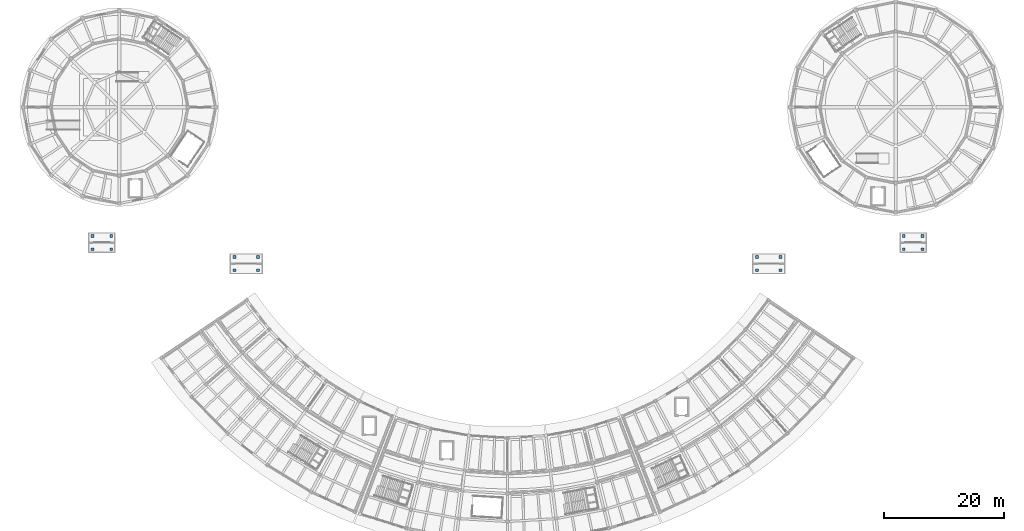
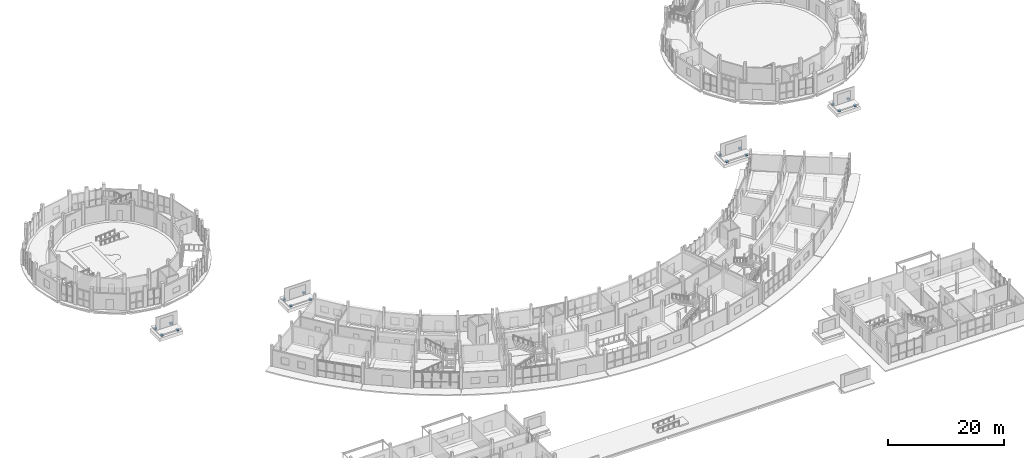
# One storey, part 22 of 92: 16 columns.
"""IFC4 building model written with IfcOpenShell, lengths in metres."""

from ifc_helpers import new_model, si_unit, direction, frame, origin, origin_2d, place, context, subcontext, project, spatial, rectangle, extrude, material, material_profile, profile_set, type_object, element, save


model = new_model("IFC4")

# Units and contexts
model_context = context("Model", 3, precision=1e-05, world=origin(), true_north=direction((0.0, 1.0)))
body_context = subcontext(model_context, "Body", "Model", "MODEL_VIEW")
ifc_project = project(units=[si_unit("LENGTHUNIT", "METRE"), si_unit("AREAUNIT", "SQUARE_METRE"), si_unit("VOLUMEUNIT", "CUBIC_METRE"), si_unit("PLANEANGLEUNIT", "RADIAN"), si_unit("MASSUNIT", "GRAM", prefix="KILO")], contexts=[model_context])

# Site, building, storey
site_placement = place(None, origin())
site = spatial("IfcSite", under=ifc_project, at=site_placement, CompositionType="ELEMENT")
building_placement = place(site_placement, origin())
building = spatial("IfcBuilding", under=site, at=building_placement, Name="Caldaven Crescent School", CompositionType="ELEMENT")
storey_placement = place(building_placement, origin())
storey = spatial("IfcBuildingStorey", under=building, at=storey_placement, Name="L00", CompositionType="ELEMENT", Elevation=0.0)

# Columns
ifc_material = material(Name="Concrete C35/45", Category="concrete")
ifc_material_profile = material_profile(ifc_material, rectangle(XDim=0.449951171875, YDim=0.449951171875, at=origin_2d()), Name="RC 450x450")
ifc_profile_set = profile_set([ifc_material_profile], Name="Concrete C35/45")
column_type = type_object("IfcColumnType", Name="COL-RC45", PredefinedType="COLUMN", material=ifc_profile_set)
for number, where, z_axis, x_axis, name in (
    (1, (42.64990234375, 71.39990234375, -0.590087890625), (0.0, 0.0, 1.0), (1.0, 0.0, 0.0), "COL-GATE-CG1-1"),
    (2, (46.550048828125, 71.39990234375, -0.590087890625), (0.0, 0.0, 1.0), (1.0, 0.0, 0.0), "COL-GATE-CG1-2"),
    (3, (46.550048828125, 73.60009765625, -0.590087890625), (0.0, 0.0, 1.0), (1.0, 0.0, 0.0), "COL-GATE-CG1-3"),
    (4, (42.64990234375, 73.60009765625, -0.590087890625), (0.0, 0.0, 1.0), (1.0, 0.0, 0.0), "COL-GATE-CG1-4"),
    (5, (129.449951171875, 71.39990234375, -0.590087890625), (0.0, 0.0, 1.0), (1.0, 0.0, 0.0), "COL-GATE-CG2-1"),
    (6, (133.35009765625, 71.39990234375, -0.590087890625), (0.0, 0.0, 1.0), (1.0, 0.0, 0.0), "COL-GATE-CG2-2"),
    (7, (133.35009765625, 73.60009765625, -0.590087890625), (0.0, 0.0, 1.0), (1.0, 0.0, 0.0), "COL-GATE-CG2-3"),
    (8, (129.449951171875, 73.60009765625, -0.590087890625), (0.0, 0.0, 1.0), (1.0, 0.0, 0.0), "COL-GATE-CG2-4"),
    (9, (19.050048828125, 74.89990234375, -0.590087890625), (0.0, 0.0, 1.0), (1.0, 0.0, 0.0), "COL-GATE-CG5-1"),
    (10, (22.14990234375, 74.89990234375, -0.590087890625), (0.0, 0.0, 1.0), (1.0, 0.0, 0.0), "COL-GATE-CG5-2"),
    (11, (22.14990234375, 77.10009765625, -0.590087890625), (0.0, 0.0, 1.0), (1.0, 0.0, 0.0), "COL-GATE-CG5-3"),
    (12, (19.050048828125, 77.10009765625, -0.590087890625), (0.0, 0.0, 1.0), (1.0, 0.0, 0.0), "COL-GATE-CG5-4"),
    (13, (153.85009765625, 74.89990234375, -0.590087890625), (0.0, 0.0, 1.0), (1.0, 0.0, 0.0), "COL-GATE-CG6-1"),
    (14, (156.949951171875, 74.89990234375, -0.590087890625), (0.0, 0.0, 1.0), (1.0, 0.0, 0.0), "COL-GATE-CG6-2"),
    (15, (156.949951171875, 77.10009765625, -0.590087890625), (0.0, 0.0, 1.0), (1.0, 0.0, 0.0), "COL-GATE-CG6-3"),
    (16, (153.85009765625, 77.10009765625, -0.590087890625), (0.0, 0.0, 1.0), (1.0, 0.0, 0.0), "COL-GATE-CG6-4"),
):
    element("IfcColumn", number, at=place(storey_placement, frame(where, z_axis=z_axis, x_axis=x_axis)), inside=storey, type_object=column_type, Name=name, PredefinedType="COLUMN", context=body_context, shape_type="SweptSolid", body=[
        extrude(rectangle(XDim=0.449951171875, YDim=0.449951171875, at=origin_2d()), origin(), (0.0, 0.0, 1.0), 0.35009765625),
    ])

save(model, "model.ifc")
